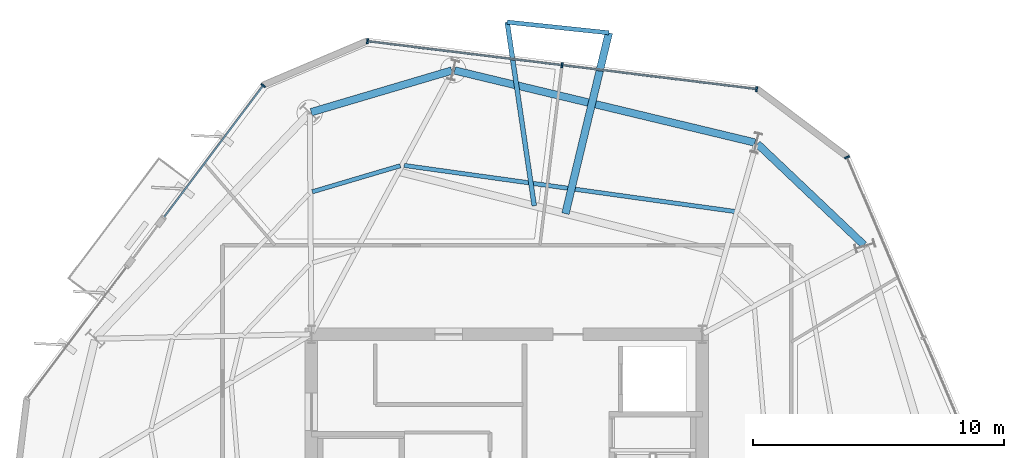
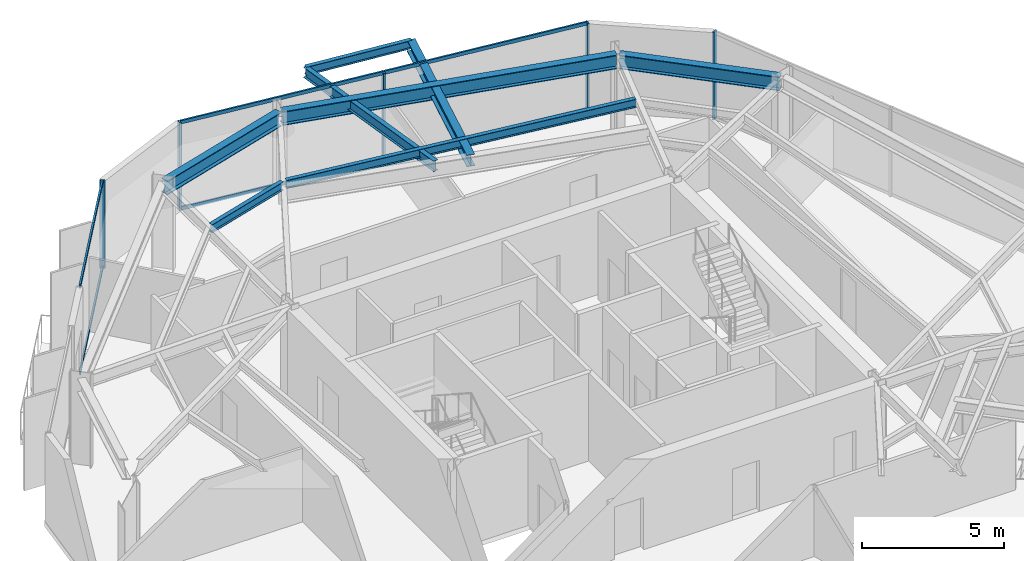
# One storey, part 6 of 12: 11 members, 8 beams, 3 elements without a shape of their own.
"""IFC4 building model written with IfcOpenShell, lengths in metres."""

import ifcopenshell
import ifcopenshell.guid

model = None  # the IFC model being written
_history = None  # IfcOwnerHistory: only IFC2X3 demands one
_inside = {}  # id of a spatial element -> (the spatial element, [elements in it])
_under = {}  # id of a project, library or spatial element -> (it, [spatial elements below it])
_declared = {}  # id of a project -> (the project, [libraries it declares])
_typed = {}  # id of a type object -> (the type object, [elements of that type])
_made_of = {}  # id of a material, layer set ... -> (it, [elements and type objects made of it])


def new_model(schema):
    """Start an empty IFC model of exactly this schema.

    Asked for "IFC4X3", IfcOpenShell would pick the latest addendum, in which some entities
    have other attributes; the version numbers below select the first issue.
    IFC2X3 requires an IfcOwnerHistory on every rooted entity: one is made here for all.
    """
    global model, _history
    if schema == "IFC4X3":
        model = ifcopenshell.file(schema_version=(4, 3, 0, 0))
    else:
        model = ifcopenshell.file(schema=schema)
    _inside.clear()
    _under.clear()
    _declared.clear()
    _typed.clear()
    _made_of.clear()
    _history = None
    if model.schema == "IFC2X3":
        org = make("IfcOrganization", Name="unknown")
        user = make(
            "IfcPersonAndOrganization",
            ThePerson=make("IfcPerson", FamilyName="unknown"),
            TheOrganization=org,
        )
        app = make(
            "IfcApplication",
            ApplicationDeveloper=org,
            Version="unknown",
            ApplicationFullName="unknown",
            ApplicationIdentifier="unknown",
        )
        _history = make(
            "IfcOwnerHistory",
            OwningUser=user,
            OwningApplication=app,
            ChangeAction="ADDED",
            CreationDate=0,
        )
    return model


def make(cls, **values):
    """One entity of the class cls with the attributes given. An attribute that is None is left unset."""
    return model.create_entity(
        cls, **{name: value for name, value in values.items() if value is not None}
    )


def rooted(cls, **values):
    """An entity with a GlobalId (a new one), such as an element, a storey or a relation."""
    return make(cls, GlobalId=ifcopenshell.guid.new(), OwnerHistory=_history, **values)


def si_unit(unit_type, name, prefix=None):
    """IfcSIUnit, for example si_unit("LENGTHUNIT", "METRE", prefix="MILLI")."""
    return make("IfcSIUnit", UnitType=unit_type, Prefix=prefix, Name=name)


def assignment(units):
    """IfcUnitAssignment: the units of a project."""
    return None if units is None else make("IfcUnitAssignment", Units=units)


def point(xyz):
    """IfcCartesianPoint."""
    return None if xyz is None else make("IfcCartesianPoint", Coordinates=xyz)


def direction(xyz):
    """IfcDirection."""
    return None if xyz is None else make("IfcDirection", DirectionRatios=xyz)


def frame(location, z_axis=None, x_axis=None):
    """IfcAxis2Placement3D, a coordinate frame: its origin and axes. An axis left out is left unset."""
    return make(
        "IfcAxis2Placement3D",
        Location=point(location),
        Axis=direction(z_axis),
        RefDirection=direction(x_axis),
    )


def frame_2d(location, x_axis=None):
    """IfcAxis2Placement2D, a coordinate frame in the plane: its origin and x axis."""
    return make(
        "IfcAxis2Placement2D", Location=point(location), RefDirection=direction(x_axis)
    )


def origin():
    """The frame at (0, 0, 0) with its axes left unset."""
    return frame((0.0, 0.0, 0.0))


def origin_2d():
    """The frame at (0, 0) in the plane with its x axis left unset."""
    return frame_2d((0.0, 0.0))


def place(relative_to, where):
    """IfcLocalPlacement: puts the frame where relative to a parent placement (None: the world)."""
    return make(
        "IfcLocalPlacement", PlacementRelTo=relative_to, RelativePlacement=where
    )


def context(
    kind, dimensions, precision=None, world=None, true_north=None, identifier=None
):
    """IfcGeometricRepresentationContext, for example the 3D "Model" context."""
    return make(
        "IfcGeometricRepresentationContext",
        ContextIdentifier=identifier,
        ContextType=kind,
        CoordinateSpaceDimension=dimensions,
        Precision=precision,
        WorldCoordinateSystem=world,
        TrueNorth=true_north,
    )


def subcontext(parent, identifier, kind, view, scale=None):
    """IfcGeometricRepresentationSubContext, for example "Body" below "Model"."""
    return make(
        "IfcGeometricRepresentationSubContext",
        ContextIdentifier=identifier,
        ContextType=kind,
        ParentContext=parent,
        TargetScale=scale,
        TargetView=view,
    )


def project(units=None, contexts=None):
    """IfcProject with its units and contexts."""
    return rooted(
        "IfcProject",
        Name="project",
        RepresentationContexts=contexts,
        UnitsInContext=assignment(units),
    )


def spatial(cls, under=None, at=None, **own):
    """A site, building, storey or space (cls), placed at a placement, below another one or the project."""
    s = rooted(cls, ObjectPlacement=at, **own)
    if under is not None:
        _under.setdefault(under.id(), (under, []))[1].append(s)
    return s


def profile(cls, at=None, kind="AREA", **sizes):
    """A parametric profile (cls). Its sizes go by their IFC names, for example OverallWidth=200.0."""
    return make(cls, ProfileType=kind, Position=at, **sizes)


def rectangle(**sizes):
    """IfcRectangleProfileDef."""
    return profile("IfcRectangleProfileDef", **sizes)


def i_section(**sizes):
    """IfcIShapeProfileDef."""
    return profile("IfcIShapeProfileDef", **sizes)


def extrude(swept, where, along, depth):
    """IfcExtrudedAreaSolid: the profile swept, set in the frame where, extruded along a direction by depth."""
    return make(
        "IfcExtrudedAreaSolid",
        SweptArea=swept,
        Position=where,
        ExtrudedDirection=direction(along),
        Depth=depth,
    )


def shape(context_of_items, identifier, shape_type, items):
    """IfcShapeRepresentation: the items that make up one representation, for example the "Body"."""
    return make(
        "IfcShapeRepresentation",
        ContextOfItems=context_of_items,
        RepresentationIdentifier=identifier,
        RepresentationType=shape_type,
        Items=items,
    )


def material(Name=None, Category=None):
    """IfcMaterial."""
    return make("IfcMaterial", Name=Name, Category=Category)


def layer(
    of_material, thickness, ventilated=None, Name=None, Category=None, Priority=None
):
    """IfcMaterialLayer: one layer of a wall or slab, of a material (None: an air gap)."""
    return make(
        "IfcMaterialLayer",
        Material=of_material,
        LayerThickness=thickness,
        IsVentilated=ventilated,
        Name=Name,
        Category=Category,
        Priority=Priority,
    )


def layer_set(layers, Name=None):
    """IfcMaterialLayerSet."""
    return make("IfcMaterialLayerSet", MaterialLayers=layers, LayerSetName=Name)


def material_profile(
    of_material, cross_section, Name=None, Category=None, Priority=None
):
    """IfcMaterialProfile: a cross section and its material."""
    return make(
        "IfcMaterialProfile",
        Name=Name,
        Material=of_material,
        Profile=cross_section,
        Priority=Priority,
        Category=Category,
    )


def profile_set(profiles, Name=None, composite=None):
    """IfcMaterialProfileSet."""
    return make(
        "IfcMaterialProfileSet",
        Name=Name,
        MaterialProfiles=profiles,
        CompositeProfile=composite,
    )


def made_of(thing, what):
    """Note that an element or type object is made of a material, layer set ...; save() writes the relation."""
    if what is not None:
        _made_of.setdefault(what.id(), (what, []))[1].append(thing)
    return thing


def type_object(cls, material=None, **own):
    """A type object (cls), such as IfcWallType, which elements share."""
    return made_of(rooted(cls, **own), material)


def element(
    cls,
    number,
    at=None,
    inside=None,
    cuts=None,
    type_object=None,
    material=None,
    context=None,
    identifier="Body",
    shape_type=None,
    held_by="IfcProductDefinitionShape",
    body=None,
    shapes=None,
    **own,
):
    """One element of the class cls, such as IfcWall. Its Tag is "e" and its number.

    at: its placement. inside: the storey or other place that contains it. cuts: it is an
    opening in that element (IfcRelVoidsElement). A single representation is given by context,
    identifier, shape_type and body (its items); several are given by shapes. held_by: the class
    of the entity that holds the representations. save() writes the other relations.
    """
    e = rooted(cls, Tag="e%d" % number, ObjectPlacement=at, **own)
    if body is not None:
        shapes = [shape(context, identifier, shape_type, body)]
    if shapes is not None:
        e.Representation = make(held_by, Representations=shapes)
    if inside is not None:
        _inside.setdefault(inside.id(), (inside, []))[1].append(e)
    if cuts is not None:
        rooted(
            "IfcRelVoidsElement", RelatingBuildingElement=cuts, RelatedOpeningElement=e
        )
    if type_object is not None:
        _typed.setdefault(type_object.id(), (type_object, []))[1].append(e)
    return made_of(e, material)


def aggregate(whole, parts):
    """IfcRelAggregates: a whole, such as a stair, and the parts it consists of."""
    return rooted("IfcRelAggregates", RelatingObject=whole, RelatedObjects=parts)


def save(model, path):
    """Write the relations noted so far, then the file.

    IfcRelAggregates (storeys below a building ...), IfcRelContainedInSpatialStructure (elements
    in a storey), IfcRelDefinesByType, IfcRelAssociatesMaterial and IfcRelDeclares: one each for
    every whole, place, type object, material and project.
    """
    for whole, parts in _under.values():
        aggregate(whole, parts)
    for where, things in _inside.values():
        rooted(
            "IfcRelContainedInSpatialStructure",
            RelatedElements=things,
            RelatingStructure=where,
        )
    for kind, things in _typed.values():
        rooted("IfcRelDefinesByType", RelatedObjects=things, RelatingType=kind)
    for what, things in _made_of.values():
        rooted("IfcRelAssociatesMaterial", RelatedObjects=things, RelatingMaterial=what)
    for by, libraries in _declared.values():
        rooted("IfcRelDeclares", RelatingContext=by, RelatedDefinitions=libraries)
    model.write(path)


model = new_model("IFC4")

# Units and contexts
model_context = context("Model", 3, precision=1e-05, world=origin(), true_north=direction((0.0, 1.0)))
body_context = subcontext(model_context, "Body", "Model", "MODEL_VIEW")
ifc_project = project(units=[si_unit("LENGTHUNIT", "METRE"), si_unit("AREAUNIT", "SQUARE_METRE"), si_unit("VOLUMEUNIT", "CUBIC_METRE"), si_unit("PLANEANGLEUNIT", "RADIAN"), si_unit("MASSUNIT", "GRAM", prefix="KILO")], contexts=[model_context])

# Site, building, storey
site_placement = place(None, origin())
site = spatial("IfcSite", under=ifc_project, at=site_placement, CompositionType="ELEMENT")
building_placement = place(site_placement, origin())
building = spatial("IfcBuilding", under=site, at=building_placement, Name="Kranzbogen Civic Tower", CompositionType="ELEMENT")
storey_placement = place(building_placement, frame((0.0, 0.0, 236.800048828125)))
storey = spatial("IfcBuildingStorey", under=building, at=storey_placement, Name="L57", CompositionType="ELEMENT", Elevation=236.800048828125)

# Beam
ifc_material_1 = material(Name="Steel S355", Category="steel")
ifc_material_profile_1 = material_profile(ifc_material_1, i_section(OverallWidth=0.18994140625, OverallDepth=0.449951171875, WebThickness=0.009521484375, FlangeThickness=0.0146484375, at=origin_2d()), Name="IPE 450")
ifc_profile_set_1 = profile_set([ifc_material_profile_1], Name="Steel S355")
beam_type_1 = type_object("IfcBeamType", Name="Braced Terrace Edge Beam IPE 450", PredefinedType="BEAM", material=ifc_profile_set_1)
beam_1_placement = place(storey_placement, frame((26.093994140625, 37.324951171875, 3.52490234375), z_axis=(-0.145755772806, 0.989320602582, 0.0), x_axis=(-0.989320602582, -0.145755772806, 0.0)))
element("IfcBeam", 1, at=beam_1_placement, inside=storey, type_object=beam_type_1, Name="L58 back-spanned terrace beam L58-TB2-2", PredefinedType="BEAM", context=body_context, shape_type="SweptSolid", body=[
    extrude(i_section(OverallWidth=0.18994140625, OverallDepth=0.449951171875, WebThickness=0.009521484375, FlangeThickness=0.0146484375, at=origin_2d()), origin(), (0.0, 0.0, 1.0), 7.41015625),
])

# Curtain wall, members
ifc_material_2 = material(Name="Pale Anodised Aluminium", Category="aluminium")
ifc_layer = layer(ifc_material_2, 0.219970703125, Name="Pale Anodised Aluminium")
ifc_layer_set = layer_set([ifc_layer], Name="Pale Anodised Aluminium")
curtain_wall_type = type_object("IfcCurtainWallType", Name="Zone 3 Stick Curtain Wall System CW-04", PredefinedType="USERDEFINED", material=ifc_layer_set)
curtain_wall_1_placement = place(storey_placement, origin())
curtain_wall_1 = element("IfcCurtainWall", 2, at=curtain_wall_1_placement, inside=storey, type_object=curtain_wall_type, Name="L57 curtain wall CW-L57-F1", ObjectType="STICK CURTAIN WALL", PredefinedType="USERDEFINED")
ifc_material_profile_2 = material_profile(ifc_material_2, rectangle(XDim=0.070068359375, YDim=0.199951171875, at=origin_2d()), Name="ALU-M 70x200")
ifc_profile_set_2 = profile_set([ifc_material_profile_2], Name="Pale Anodised Aluminium")
member_type_1 = type_object("IfcMemberType", Name="Curtain Wall Mullion ALU-M 70x200", PredefinedType="MULLION", material=ifc_profile_set_2)
member_1_placement = place(storey_placement, frame((34.96826171875, 41.982666015625, 0.0), z_axis=(0.0, 0.0, 1.0), x_axis=(-0.992541022906, 0.121911106341, 0.0)))
member_1 = element("IfcMember", 3, at=member_1_placement, type_object=member_type_1, Name="CW-04 mullion 1", PredefinedType="MULLION", context=body_context, shape_type="SweptSolid", body=[
    extrude(rectangle(XDim=0.070068359375, YDim=0.199951171875, at=origin_2d()), origin(), (0.0, 0.0, 1.0), 3.780029296875),
])
member_2_placement = place(storey_placement, frame((27.202392578125, 42.9365234375, 0.0), z_axis=(0.0, 0.0, 1.0), x_axis=(-0.992541022906, 0.121911106341, 0.0)))
member_2 = element("IfcMember", 4, at=member_2_placement, type_object=member_type_1, Name="CW-04 mullion 2", PredefinedType="MULLION", context=body_context, shape_type="SweptSolid", body=[
    extrude(rectangle(XDim=0.070068359375, YDim=0.199951171875, at=origin_2d()), origin(), (0.0, 0.0, 1.0), 3.780029296875),
])
member_3_placement = place(storey_placement, frame((19.436767578125, 43.890380859375, 0.0), z_axis=(0.0, 0.0, 1.0), x_axis=(-0.992541022906, 0.121911106341, 0.0)))
member_3 = element("IfcMember", 5, at=member_3_placement, type_object=member_type_1, Name="CW-04 mullion 3", PredefinedType="MULLION", context=body_context, shape_type="SweptSolid", body=[
    extrude(rectangle(XDim=0.070068359375, YDim=0.199951171875, at=origin_2d()), origin(), (0.0, 0.0, 1.0), 3.780029296875),
])

# Curtain wall, member
curtain_wall_2_placement = place(storey_placement, origin())
curtain_wall_2 = element("IfcCurtainWall", 6, at=curtain_wall_2_placement, inside=storey, type_object=curtain_wall_type, Name="L57 curtain wall CW-L57-F2-S1", ObjectType="STICK CURTAIN WALL", PredefinedType="USERDEFINED")
member_4_placement = place(storey_placement, frame((15.27587890625, 42.1240234375, 0.0), z_axis=(0.0, 0.0, 1.0), x_axis=(-0.601777999064, -0.798663408353, 0.0)))
member_4 = element("IfcMember", 7, at=member_4_placement, type_object=member_type_1, Name="CW-04 mullion 1", PredefinedType="MULLION", context=body_context, shape_type="SweptSolid", body=[
    extrude(rectangle(XDim=0.070068359375, YDim=0.199951171875, at=origin_2d()), origin(), (0.0, 0.0, 1.0), 3.780029296875),
])

curtain_wall_3_placement = place(storey_placement, origin())
curtain_wall_3 = element("IfcCurtainWall", 8, at=curtain_wall_3_placement, inside=storey, type_object=curtain_wall_type, Name="L57 curtain wall CW-L57-F6", ObjectType="STICK CURTAIN WALL", PredefinedType="USERDEFINED")
member_5_placement = place(storey_placement, frame((38.57861328125, 39.262451171875, 0.0), z_axis=(0.0, 0.0, 1.0), x_axis=(-0.390705161325, 0.920515875428, 0.0)))
member_5 = element("IfcMember", 9, at=member_5_placement, type_object=member_type_1, Name="CW-04 mullion 3", PredefinedType="MULLION", context=body_context, shape_type="SweptSolid", body=[
    extrude(rectangle(XDim=0.070068359375, YDim=0.199951171875, at=origin_2d()), origin(), (0.0, 0.0, 1.0), 3.780029296875),
])
aggregate(curtain_wall_3, [member_5])

# Member
ifc_material_profile_3 = material_profile(ifc_material_2, rectangle(XDim=0.070068359375, YDim=0.14990234375, at=origin_2d()), Name="ALU-T 70x150")
ifc_profile_set_3 = profile_set([ifc_material_profile_3], Name="Pale Anodised Aluminium")
member_type_2 = type_object("IfcMemberType", Name="Curtain Wall Transom ALU-T 70x150", PredefinedType="USERDEFINED", material=ifc_profile_set_3)
member_6_placement = place(storey_placement, frame((34.9384765625, 41.986328125, 0.030029296875), z_axis=(-0.992541185924, 0.121909779117, 0.0), x_axis=(-0.121909779117, -0.992541185924, 0.0)))
member_6 = element("IfcMember", 10, at=member_6_placement, type_object=member_type_2, Name="CW-04 transom 1.1", ObjectType="TRANSOM", PredefinedType="USERDEFINED", context=body_context, shape_type="SweptSolid", body=[
    extrude(rectangle(XDim=0.070068359375, YDim=0.14990234375, at=origin_2d()), origin(), (0.0, 0.0, 1.0), 7.76416015625),
])

member_7_placement = place(storey_placement, frame((34.9384765625, 41.986328125, 3.75), z_axis=(-0.992541185924, 0.121909779117, 0.0), x_axis=(-0.121909779117, -0.992541185924, 0.0)))
member_7 = element("IfcMember", 11, at=member_7_placement, type_object=member_type_2, Name="CW-04 transom 1.2", ObjectType="TRANSOM", PredefinedType="USERDEFINED", context=body_context, shape_type="SweptSolid", body=[
    extrude(rectangle(XDim=0.070068359375, YDim=0.14990234375, at=origin_2d()), origin(), (0.0, 0.0, 1.0), 7.76416015625),
])

member_8_placement = place(storey_placement, frame((27.172607421875, 42.940185546875, 0.030029296875), z_axis=(-0.992540718576, 0.121913584017, 0.0), x_axis=(-0.121913584017, -0.992540718576, 0.0)))
member_8 = element("IfcMember", 12, at=member_8_placement, type_object=member_type_2, Name="CW-04 transom 2.1", ObjectType="TRANSOM", PredefinedType="USERDEFINED", context=body_context, shape_type="SweptSolid", body=[
    extrude(rectangle(XDim=0.070068359375, YDim=0.14990234375, at=origin_2d()), origin(), (0.0, 0.0, 1.0), 7.763916015625),
])

member_9_placement = place(storey_placement, frame((27.172607421875, 42.940185546875, 3.75), z_axis=(-0.992540718576, 0.121913584017, 0.0), x_axis=(-0.121913584017, -0.992540718576, 0.0)))
member_9 = element("IfcMember", 13, at=member_9_placement, type_object=member_type_2, Name="CW-04 transom 2.2", ObjectType="TRANSOM", PredefinedType="USERDEFINED", context=body_context, shape_type="SweptSolid", body=[
    extrude(rectangle(XDim=0.070068359375, YDim=0.14990234375, at=origin_2d()), origin(), (0.0, 0.0, 1.0), 7.763916015625),
])

aggregate(curtain_wall_1, [member_1, member_2, member_3, member_6, member_7, member_8, member_9])

member_10_placement = place(storey_placement, frame((15.2578125, 42.10009765625, 0.030029296875), z_axis=(-0.601756289922, -0.798679765325, 0.0), x_axis=(0.798679765325, -0.601756289922, 0.0)))
member_10 = element("IfcMember", 14, at=member_10_placement, type_object=member_type_2, Name="CW-04 transom 1.1", ObjectType="TRANSOM", PredefinedType="USERDEFINED", context=body_context, shape_type="SweptSolid", body=[
    extrude(rectangle(XDim=0.070068359375, YDim=0.14990234375, at=origin_2d()), origin(), (0.0, 0.0, 1.0), 6.53369140625),
])

member_11_placement = place(storey_placement, frame((15.2578125, 42.10009765625, 3.75), z_axis=(-0.601756289922, -0.798679765325, 0.0), x_axis=(0.798679765325, -0.601756289922, 0.0)))
member_11 = element("IfcMember", 15, at=member_11_placement, type_object=member_type_2, Name="CW-04 transom 1.2", ObjectType="TRANSOM", PredefinedType="USERDEFINED", context=body_context, shape_type="SweptSolid", body=[
    extrude(rectangle(XDim=0.070068359375, YDim=0.14990234375, at=origin_2d()), origin(), (0.0, 0.0, 1.0), 6.53369140625),
])

aggregate(curtain_wall_2, [member_4, member_10, member_11])

# Beams
ifc_material_profile_4 = material_profile(ifc_material_1, i_section(OverallWidth=0.300048828125, OverallDepth=0.5, WebThickness=0.014404296875, FlangeThickness=0.028076171875, at=origin_2d()), Name="HEB 500")
ifc_profile_set_4 = profile_set([ifc_material_profile_4], Name="Steel S355")
beam_type_2 = type_object("IfcBeamType", Name="Perimeter Tube Spandrel Beam HEB 500", PredefinedType="SPANDREL", material=ifc_profile_set_4)
beam_2_placement = place(storey_placement, frame((27.340087890625, 37.011962890625, 3.5), z_axis=(0.233353046572, 0.972392079182, 0.0), x_axis=(-0.972392079182, 0.233353046572, 0.0)))
element("IfcBeam", 16, at=beam_2_placement, inside=storey, type_object=beam_type_2, Name="L58 back-spanned terrace beam L58-TB2-1", PredefinedType="SPANDREL", context=body_context, shape_type="SweptSolid", body=[
    extrude(i_section(OverallWidth=0.300048828125, OverallDepth=0.5, WebThickness=0.014404296875, FlangeThickness=0.028076171875, at=origin_2d()), origin(), (0.0, 0.0, 1.0), 7.421875),
])
ifc_material_profile_5 = material_profile(ifc_material_1, i_section(OverallWidth=0.300048828125, OverallDepth=0.60009765625, WebThickness=0.015380859375, FlangeThickness=0.030029296875, at=origin_2d()), Name="HEB 600")
ifc_profile_set_5 = profile_set([ifc_material_profile_5], Name="Steel S355")
beam_type_3 = type_object("IfcBeamType", Name="Perimeter Tube Spandrel Beam HEB 600", PredefinedType="SPANDREL", material=ifc_profile_set_5)
beam_3_placement = place(storey_placement, frame((39.2490234375, 35.764892578125, 3.47998046875), z_axis=(-0.725245206788, 0.688490660816, 0.0), x_axis=(-0.688490660816, -0.725245206788, 0.0)))
element("IfcBeam", 17, at=beam_3_placement, inside=storey, type_object=beam_type_3, Name="L57 perimeter spandrel beam 07", PredefinedType="SPANDREL", context=body_context, shape_type="SweptSolid", body=[
    extrude(i_section(OverallWidth=0.300048828125, OverallDepth=0.60009765625, WebThickness=0.015380859375, FlangeThickness=0.030029296875, at=origin_2d()), origin(), (0.0, 0.0, 1.0), 5.85205078125),
])
beam_4_placement = place(storey_placement, frame((34.903076171875, 39.84912109375, 3.47998046875), z_axis=(-0.972377592092, 0.233413406637, 0.0), x_axis=(-0.233413406637, -0.972377592092, 0.0)))
element("IfcBeam", 18, at=beam_4_placement, inside=storey, type_object=beam_type_3, Name="L57 perimeter spandrel beam 08", PredefinedType="SPANDREL", context=body_context, shape_type="SweptSolid", body=[
    extrude(i_section(OverallWidth=0.300048828125, OverallDepth=0.60009765625, WebThickness=0.015380859375, FlangeThickness=0.030029296875, at=origin_2d()), origin(), (0.0, 0.0, 1.0), 12.32568359375),
])
beam_5_placement = place(storey_placement, frame((22.802001953125, 42.722900390625, 3.47998046875), z_axis=(-0.9588296723, -0.283981794341, 0.0), x_axis=(0.283981794341, -0.9588296723, 0.0)))
element("IfcBeam", 19, at=beam_5_placement, inside=storey, type_object=beam_type_3, Name="L57 perimeter spandrel beam 09", PredefinedType="SPANDREL", context=body_context, shape_type="SweptSolid", body=[
    extrude(i_section(OverallWidth=0.300048828125, OverallDepth=0.60009765625, WebThickness=0.015380859375, FlangeThickness=0.030029296875, at=origin_2d()), origin(), (0.0, 0.0, 1.0), 5.85205078125),
])
ifc_material_profile_6 = material_profile(ifc_material_1, i_section(OverallWidth=0.169921875, OverallDepth=0.360107421875, WebThickness=0.008056640625, FlangeThickness=0.0126953125, at=origin_2d()), Name="IPE 360")
ifc_profile_set_6 = profile_set([ifc_material_profile_6], Name="Steel S355")
beam_type_4 = type_object("IfcBeamType", Name="Secondary Composite Floor Joist IPE 360", PredefinedType="JOIST", material=ifc_profile_set_6)
beam_6_placement = place(storey_placement, frame((34.10400390625, 37.096923828125, 3.599853515625), z_axis=(-0.990445837232, 0.137902296968, 0.0), x_axis=(-0.137902296968, -0.990445837232, 0.0)))
element("IfcBeam", 20, at=beam_6_placement, inside=storey, type_object=beam_type_4, Name="L57 secondary floor joist 1.08", PredefinedType="JOIST", context=body_context, shape_type="SweptSolid", body=[
    extrude(i_section(OverallWidth=0.169921875, OverallDepth=0.360107421875, WebThickness=0.008056640625, FlangeThickness=0.0126953125, at=origin_2d()), origin(), (0.0, 0.0, 1.0), 13.329345703125),
])
beam_7_placement = place(storey_placement, frame((20.74609375, 38.923095703125, 3.599853515625), z_axis=(-0.958843823165, -0.283934011309, 0.0), x_axis=(0.283934011309, -0.958843823165, 0.0)))
element("IfcBeam", 21, at=beam_7_placement, inside=storey, type_object=beam_type_4, Name="L57 secondary floor joist 1.09", PredefinedType="JOIST", context=body_context, shape_type="SweptSolid", body=[
    extrude(i_section(OverallWidth=0.169921875, OverallDepth=0.360107421875, WebThickness=0.008056640625, FlangeThickness=0.0126953125, at=origin_2d()), origin(), (0.0, 0.0, 1.0), 3.662841796875),
])
beam_8_placement = place(storey_placement, frame((29.072021484375, 44.22900390625, 3.570068359375), z_axis=(-0.994509714026, 0.104644296103, 0.0), x_axis=(-0.104644296103, -0.994509714026, 0.0)))
element("IfcBeam", 22, at=beam_8_placement, inside=storey, type_object=beam_type_4, Name="L58 terrace outer edge trimmer L58-TB2", PredefinedType="JOIST", context=body_context, shape_type="SweptSolid", body=[
    extrude(i_section(OverallWidth=0.169921875, OverallDepth=0.360107421875, WebThickness=0.008056640625, FlangeThickness=0.0126953125, at=origin_2d()), origin(), (0.0, 0.0, 1.0), 4.08056640625),
])

save(model, "model.ifc")
